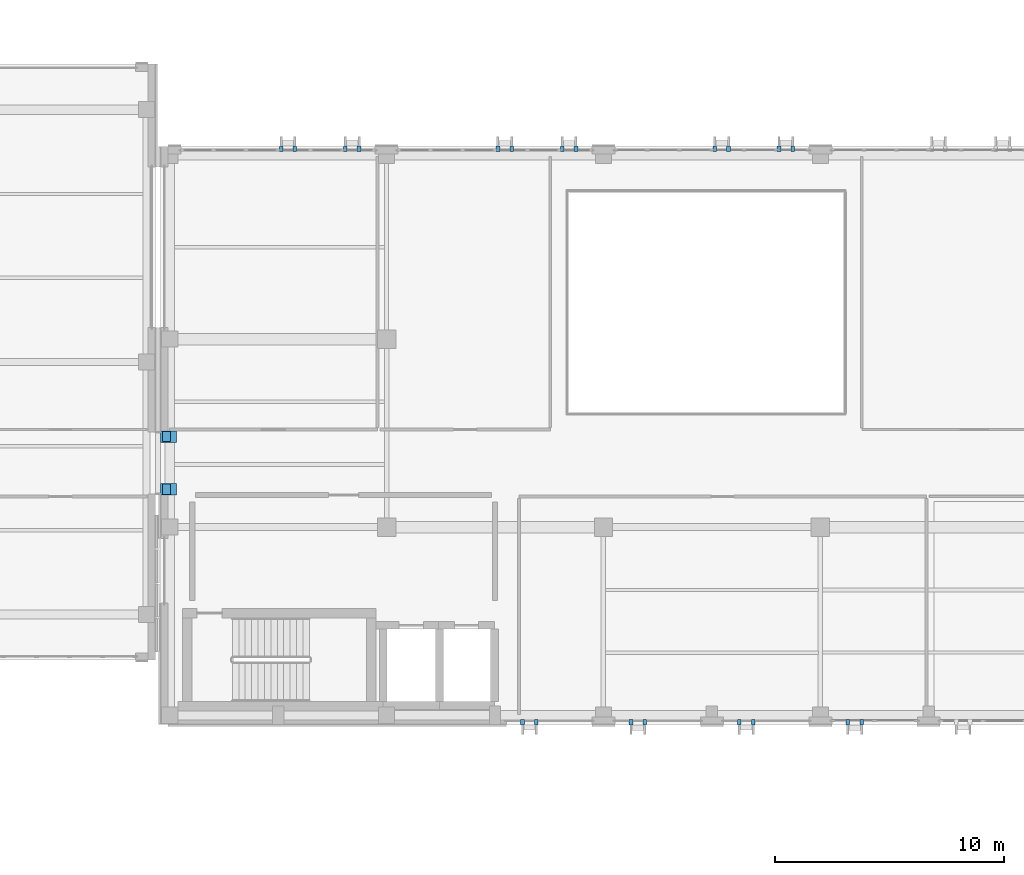
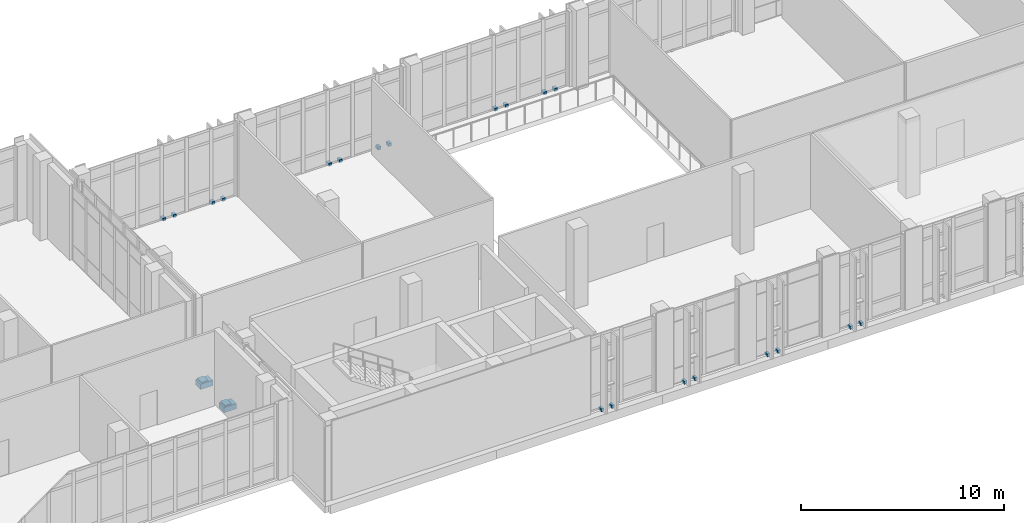
# One storey, part 161 of 189: 24 discrete accessories.
"""IFC4 building model written with IfcOpenShell, lengths in metres."""

from ifc_helpers import new_model, si_unit, direction, frame, origin, origin_2d, place, context, subcontext, project, spatial, rectangle, extrude, material, type_object, element, save


model = new_model("IFC4")

# Units and contexts
model_context = context("Model", 3, precision=1e-05, world=origin(), true_north=direction((0.0, 1.0)))
body_context = subcontext(model_context, "Body", "Model", "MODEL_VIEW")
ifc_project = project(units=[si_unit("LENGTHUNIT", "METRE"), si_unit("AREAUNIT", "SQUARE_METRE"), si_unit("VOLUMEUNIT", "CUBIC_METRE"), si_unit("PLANEANGLEUNIT", "RADIAN"), si_unit("MASSUNIT", "GRAM", prefix="KILO")], contexts=[model_context])

# Site, building, storey
site_placement = place(None, origin())
site = spatial("IfcSite", under=ifc_project, at=site_placement, CompositionType="ELEMENT")
building_placement = place(site_placement, origin())
building = spatial("IfcBuilding", under=site, at=building_placement, Name="Qalavern Law Courts", CompositionType="ELEMENT")
storey_placement = place(building_placement, frame((0.0, 0.0, 5.39990234375)))
storey = spatial("IfcBuildingStorey", under=building, at=storey_placement, Name="L01", CompositionType="ELEMENT", Elevation=5.39990234375)

# Discrete accessories
ifc_material_1 = material(Name="Steel S355", Category="steel")
discrete_accessory_type_1 = type_object("IfcDiscreteAccessoryType", Name="ENV-BRK-FIN", PredefinedType="BRACKET", material=ifc_material_1)
for number, where, z_axis, x_axis, name in (
    (1, (50.0009765625, 5.302490234375, -0.06982421875), (0.0, 0.0, 1.0), (0.0, -1.0, 0.0), "Stone blade anchor bracket 0001"),
    (2, (50.60107421875, 5.302490234375, -0.06982421875), (0.0, 0.0, 1.0), (0.0, -1.0, 0.0), "Stone blade anchor bracket 0002"),
    (3, (54.728515625, 5.302490234375, -0.06982421875), (0.0, 0.0, 1.0), (0.0, -1.0, 0.0), "Stone blade anchor bracket 0003"),
    (4, (55.32861328125, 5.302490234375, -0.06982421875), (0.0, 0.0, 1.0), (0.0, -1.0, 0.0), "Stone blade anchor bracket 0004"),
    (5, (59.4560546875, 5.302490234375, -0.06982421875), (0.0, 0.0, 1.0), (0.0, -1.0, 0.0), "Stone blade anchor bracket 0005"),
    (6, (60.055908203125, 5.302490234375, -0.06982421875), (0.0, 0.0, 1.0), (0.0, -1.0, 0.0), "Stone blade anchor bracket 0006"),
    (7, (64.182861328125, 5.302490234375, -0.06982421875), (0.0, 0.0, 1.0), (0.0, -1.0, 0.0), "Stone blade anchor bracket 0007"),
    (8, (64.782958984375, 5.302490234375, -0.06982421875), (0.0, 0.0, 1.0), (0.0, -1.0, 0.0), "Stone blade anchor bracket 0008"),
    (9, (61.782958984375, 30.297607421875, -0.06982421875), (0.0, 0.0, 1.0), (0.0, 1.0, 0.0), "Stone blade anchor bracket 0037"),
    (10, (61.182861328125, 30.297607421875, -0.06982421875), (0.0, 0.0, 1.0), (0.0, 1.0, 0.0), "Stone blade anchor bracket 0038"),
    (11, (58.98291015625, 30.297607421875, -0.06982421875), (0.0, 0.0, 1.0), (0.0, 1.0, 0.0), "Stone blade anchor bracket 0039"),
    (12, (58.3828125, 30.297607421875, -0.06982421875), (0.0, 0.0, 1.0), (0.0, 1.0, 0.0), "Stone blade anchor bracket 0040"),
    (13, (52.32861328125, 30.297607421875, -0.06982421875), (0.0, 0.0, 1.0), (0.0, 1.0, 0.0), "Stone blade anchor bracket 0041"),
    (14, (51.728515625, 30.297607421875, -0.06982421875), (0.0, 0.0, 1.0), (0.0, 1.0, 0.0), "Stone blade anchor bracket 0042"),
    (15, (49.528564453125, 30.297607421875, -0.06982421875), (0.0, 0.0, 1.0), (0.0, 1.0, 0.0), "Stone blade anchor bracket 0043"),
    (16, (48.9287109375, 30.297607421875, -0.06982421875), (0.0, 0.0, 1.0), (0.0, 1.0, 0.0), "Stone blade anchor bracket 0044"),
    (17, (42.874267578125, 30.297607421875, -0.06982421875), (0.0, 0.0, 1.0), (0.0, 1.0, 0.0), "Stone blade anchor bracket 0045"),
    (18, (42.2744140625, 30.297607421875, -0.06982421875), (0.0, 0.0, 1.0), (0.0, 1.0, 0.0), "Stone blade anchor bracket 0046"),
    (19, (40.07421875, 30.297607421875, -0.06982421875), (0.0, 0.0, 1.0), (0.0, 1.0, 0.0), "Stone blade anchor bracket 0047"),
    (20, (39.474365234375, 30.297607421875, -0.06982421875), (0.0, 0.0, 1.0), (0.0, 1.0, 0.0), "Stone blade anchor bracket 0048"),
):
    element("IfcDiscreteAccessory", number, at=place(storey_placement, frame(where, z_axis=z_axis, x_axis=x_axis)), inside=storey, type_object=discrete_accessory_type_1, Name=name, PredefinedType="BRACKET", context=body_context, shape_type="SweptSolid", body=[
        extrude(rectangle(XDim=0.239990234375, YDim=0.159912109375, at=origin_2d()), origin(), (0.0, 0.0, 1.0), 0.179931640625),
    ])
ifc_material_2 = material(Name="Concrete C45/55", Category="concrete")
discrete_accessory_type_2 = type_object("IfcDiscreteAccessoryType", Name="STR-CORBEL-700", PredefinedType="BRACKET", material=ifc_material_2)
for number, where, z_axis, x_axis, name in (
    (21, (34.570068359375, 15.449951171875, -0.69970703125), (0.0, 0.0, 1.0), (1.0, 0.0, 0.0), "Bridge BR-V1-V2 700 mm corbel seat 1 L01"),
    (22, (34.570068359375, 17.75, -0.69970703125), (0.0, 0.0, 1.0), (1.0, 0.0, 0.0), "Bridge BR-V1-V2 700 mm corbel seat 2 L01"),
):
    element("IfcDiscreteAccessory", number, at=place(storey_placement, frame(where, z_axis=z_axis, x_axis=x_axis)), inside=storey, type_object=discrete_accessory_type_2, Name=name, PredefinedType="BRACKET", context=body_context, shape_type="SweptSolid", body=[
        extrude(rectangle(XDim=0.699951171875, YDim=0.5, at=origin_2d()), origin(), (0.0, 0.0, 1.0), 0.320068359375),
    ])
discrete_accessory_type_3 = type_object("IfcDiscreteAccessoryType", Name="STR-SHOE-PTFE350", PredefinedType="SHOE", material=ifc_material_1)
for number, where, z_axis, x_axis, name in (
    (23, (34.469970703125, 15.449951171875, -0.3798828125), (0.0, 0.0, 1.0), (1.0, 0.0, 0.0), "Seismic bridge PTFE sliding bearing 05"),
    (24, (34.469970703125, 17.75, -0.3798828125), (0.0, 0.0, 1.0), (1.0, 0.0, 0.0), "Seismic bridge PTFE sliding bearing 06"),
):
    element("IfcDiscreteAccessory", number, at=place(storey_placement, frame(where, z_axis=z_axis, x_axis=x_axis)), inside=storey, type_object=discrete_accessory_type_3, Name=name, PredefinedType="SHOE", context=body_context, shape_type="SweptSolid", body=[
        extrude(rectangle(XDim=0.35009765625, YDim=0.449951171875, at=origin_2d()), origin(), (0.0, 0.0, 1.0), 0.080078125),
    ])

save(model, "model.ifc")
